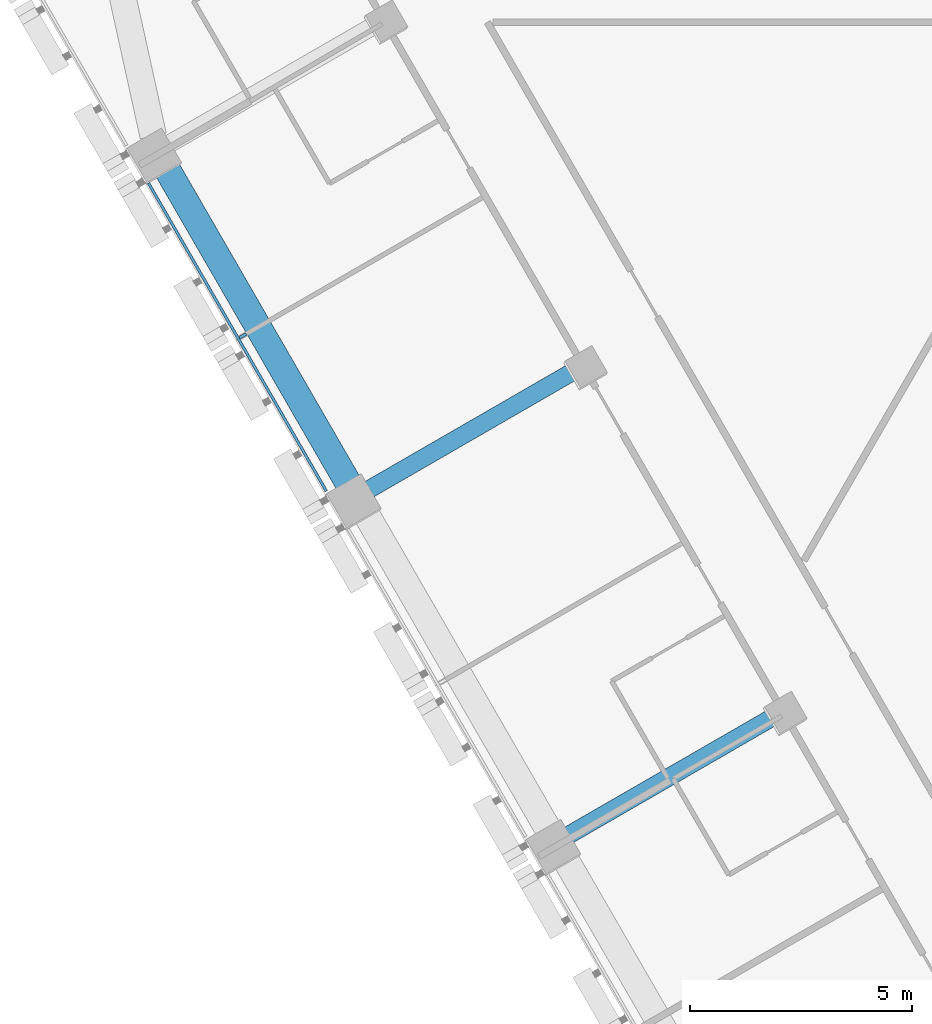
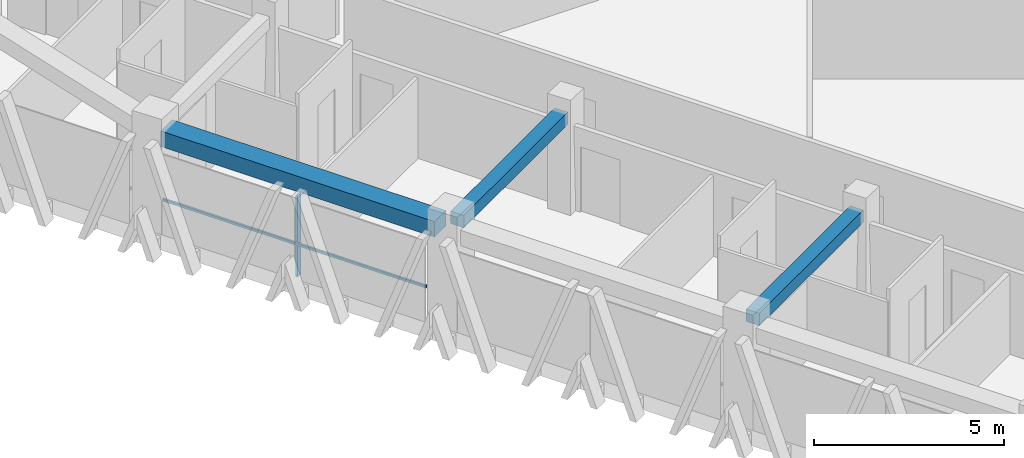
# One storey, part 3 of 16: 3 beams, 2 members, 1 element without a shape of its own.
"""IFC4 building model written with IfcOpenShell, lengths in metres."""

from ifc_helpers import new_model, si_unit, direction, frame, origin, origin_2d, place, context, subcontext, project, spatial, rectangle, extrude, material, layer, layer_set, material_profile, profile_set, type_object, element, aggregate, save


model = new_model("IFC4")

# Units and contexts
model_context = context("Model", 3, precision=1e-05, world=origin(), true_north=direction((0.0, 1.0)))
body_context = subcontext(model_context, "Body", "Model", "MODEL_VIEW")
ifc_project = project(units=[si_unit("LENGTHUNIT", "METRE"), si_unit("AREAUNIT", "SQUARE_METRE"), si_unit("VOLUMEUNIT", "CUBIC_METRE"), si_unit("PLANEANGLEUNIT", "RADIAN"), si_unit("MASSUNIT", "GRAM", prefix="KILO")], contexts=[model_context])

# Site, building, storey
site_placement = place(None, origin())
site = spatial("IfcSite", under=ifc_project, at=site_placement, CompositionType="ELEMENT")
building_placement = place(site_placement, origin())
building = spatial("IfcBuilding", under=site, at=building_placement, Name="Altiplano Prism Tower", CompositionType="ELEMENT")
storey_placement = place(building_placement, frame((0.0, 0.0, 77.39990234375)))
storey = spatial("IfcBuildingStorey", under=building, at=storey_placement, Name="L19", CompositionType="ELEMENT", Elevation=77.39990234375)

# Curtain wall, members
ifc_material_1 = material(Name="Aluminium and glass", Category="aluminium")
ifc_layer = layer(ifc_material_1, 0.280029296875)
ifc_layer_set = layer_set([ifc_layer], Name="Aluminium and glass")
curtain_wall_type = type_object("IfcCurtainWallType", Name="CW1 typical co-living unitised curtain wall", PredefinedType="NOTDEFINED", material=ifc_layer_set)
curtain_wall_placement = place(storey_placement, origin())
curtain_wall = element("IfcCurtainWall", 1, at=curtain_wall_placement, inside=storey, type_object=curtain_wall_type, Name="CW1 curtain wall south-west face L19", PredefinedType="NOTDEFINED")
ifc_material_2 = material(Name="Aluminium", Category="aluminium")
ifc_material_profile_1 = material_profile(ifc_material_2, rectangle(XDim=0.179931640625, YDim=0.06494140625, at=origin_2d()), Name="CW1 mullion 65 x 180")
ifc_profile_set_1 = profile_set([ifc_material_profile_1], Name="Aluminium")
member_type_1 = type_object("IfcMemberType", Name="CW1 mullion 65 x 180", PredefinedType="MULLION", material=ifc_profile_set_1)
member_1_placement = place(storey_placement, frame((63.597900390625, 83.328857421875, 0.0), z_axis=(0.0, 0.0, 1.0), x_axis=(0.866025401193, 0.500000004489, 0.0)))
member_1 = element("IfcMember", 2, at=member_1_placement, type_object=member_type_1, Name="CW1 mullion", PredefinedType="MULLION", context=body_context, shape_type="SweptSolid", body=[
    extrude(rectangle(XDim=0.179931640625, YDim=0.06494140625, at=origin_2d()), origin(), (0.0, 0.0, 1.0), 2.60009765625),
])
ifc_material_profile_2 = material_profile(ifc_material_2, rectangle(XDim=0.06005859375, YDim=0.080078125, at=origin_2d()), Name="CW1 transom 80 x 60")
ifc_profile_set_2 = profile_set([ifc_material_profile_2], Name="Aluminium")
member_type_2 = type_object("IfcMemberType", Name="CW1 transom 80 x 60", PredefinedType="USERDEFINED", material=ifc_profile_set_2)
member_2_placement = place(storey_placement, frame((61.46923828125, 86.775634765625, 1.10009765625), z_axis=(0.500012318566, -0.86601829154, 0.0), x_axis=(0.86601829154, 0.500012318566, 0.0)))
member_2 = element("IfcMember", 3, at=member_2_placement, type_object=member_type_2, Name="CW1 transom", ObjectType="TRANSOM", PredefinedType="USERDEFINED", context=body_context, shape_type="SweptSolid", body=[
    extrude(rectangle(XDim=0.06005859375, YDim=0.080078125, at=origin_2d()), origin(), (0.0, 0.0, 1.0), 8.019775390625),
])
aggregate(curtain_wall, [member_1, member_2])

# Beams
ifc_material_3 = material(Name="Concrete C60/75", Category="concrete")
ifc_material_profile_3 = material_profile(ifc_material_3, rectangle(XDim=0.60009765625, YDim=0.5, at=origin_2d()), Name="Edge beam 600x500")
ifc_profile_set_3 = profile_set([ifc_material_profile_3], Name="Concrete C60/75")
beam_type_1 = type_object("IfcBeamType", Name="Edge beam 600x500", PredefinedType="SPANDREL", material=ifc_profile_set_3)
beam_placement = place(storey_placement, frame((61.818115234375, 87.208740234375, 2.85009765625), z_axis=(0.499992746786, -0.866029591389, 0.0), x_axis=(0.866029591389, 0.499992746786, 0.0)))
element("IfcBeam", 4, at=beam_placement, inside=storey, type_object=beam_type_1, Name="Edge beam P11-P12 L20", PredefinedType="SPANDREL", context=body_context, shape_type="SweptSolid", body=[
    extrude(rectangle(XDim=0.60009765625, YDim=0.5, at=origin_2d()), origin(), (0.0, 0.0, 1.0), 8.33984375),
])
ifc_material_profile_4 = material_profile(ifc_material_3, rectangle(XDim=0.39990234375, YDim=0.39990234375, at=origin_2d()), Name="Tie beam 400x400")
ifc_profile_set_4 = profile_set([ifc_material_profile_4], Name="Concrete C60/75")
beam_type_2 = type_object("IfcBeamType", Name="Tie beam 400x400", PredefinedType="BEAM", material=ifc_profile_set_4)
for number, where, z_axis, x_axis, name in (
    (5, (71.193359375, 82.6103515625, 2.900146484375), (-0.866023410697, -0.500003452112, 0.0), (0.500003452112, -0.866023410697, 0.0), "Tie beam I12 L20"),
    (6, (75.693359375, 74.816162109375, 2.900146484375), (-0.866023410697, -0.500003452112, 0.0), (0.500003452112, -0.866023410697, 0.0), "Tie beam I13 L20"),
):
    element("IfcBeam", number, at=place(storey_placement, frame(where, z_axis=z_axis, x_axis=x_axis)), inside=storey, type_object=beam_type_2, Name=name, PredefinedType="BEAM", context=body_context, shape_type="SweptSolid", body=[
        extrude(rectangle(XDim=0.39990234375, YDim=0.39990234375, at=origin_2d()), origin(), (0.0, 0.0, 1.0), 5.490234375),
    ])

save(model, "model.ifc")
